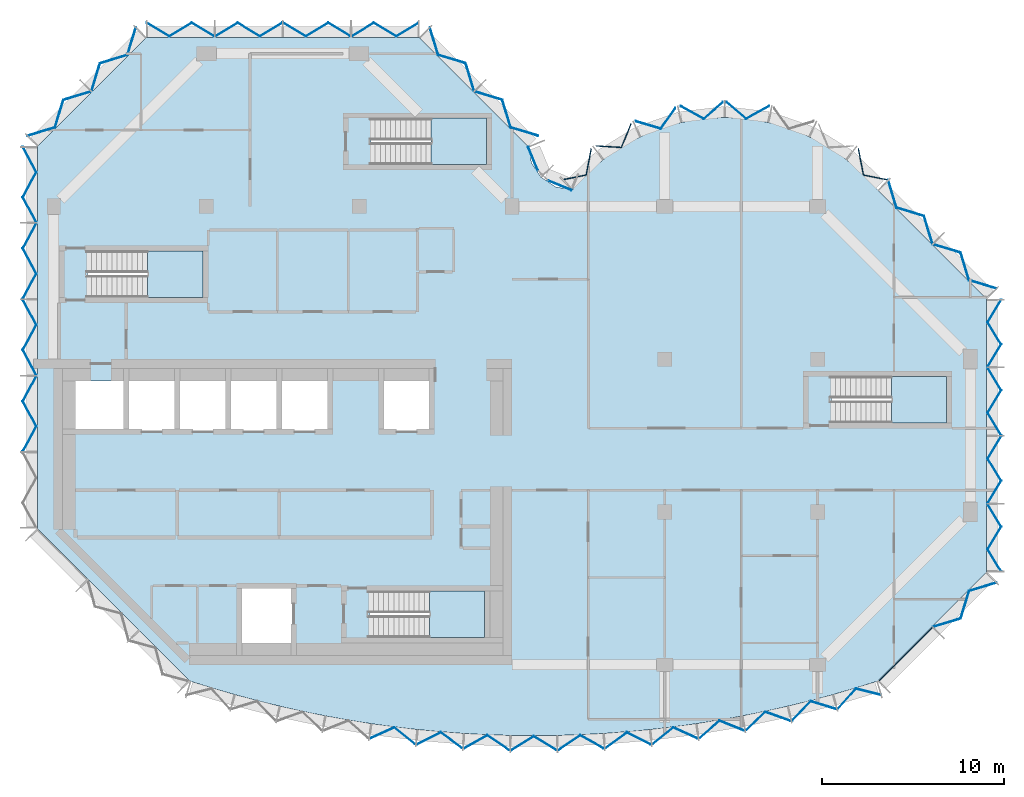
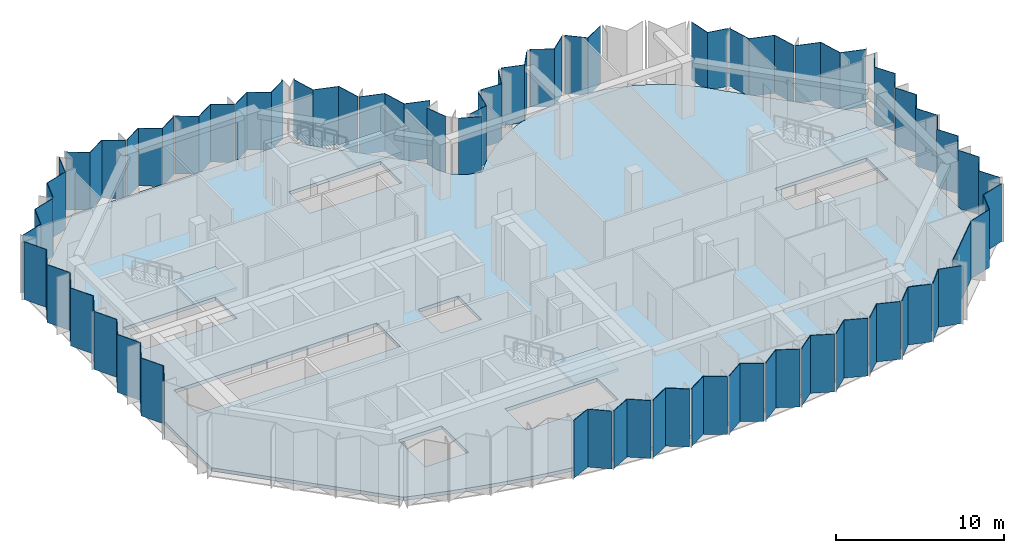
# One storey, part 3 of 10: 39 plates, 5 slabs, 14 elements without a shape of their own.
"""IFC4 building model written with IfcOpenShell, lengths in metres."""

from ifc_helpers import new_model, si_unit, direction, frame, origin, place, context, subcontext, project, spatial, polyline, outline, extrude, material, layer, layer_set, type_object, element, aggregate, save


model = new_model("IFC4")

# Units and contexts
model_context = context("Model", 3, precision=1e-05, world=origin(), true_north=direction((0.0, 1.0)))
body_context = subcontext(model_context, "Body", "Model", "MODEL_VIEW")
ifc_project = project(units=[si_unit("LENGTHUNIT", "METRE"), si_unit("AREAUNIT", "SQUARE_METRE"), si_unit("VOLUMEUNIT", "CUBIC_METRE"), si_unit("PLANEANGLEUNIT", "RADIAN"), si_unit("MASSUNIT", "GRAM", prefix="KILO")], contexts=[model_context])

# Site, building, storey
site_placement = place(None, origin())
site = spatial("IfcSite", under=ifc_project, at=site_placement, CompositionType="ELEMENT")
building_placement = place(site_placement, origin())
building = spatial("IfcBuilding", under=site, at=building_placement, Name="Brevane Broadcast Tower", CompositionType="ELEMENT")
storey_placement = place(building_placement, frame((0.0, 0.0, 251.699951171875)))
storey = spatial("IfcBuildingStorey", under=building, at=storey_placement, Name="L64", CompositionType="ELEMENT", Elevation=251.699951171875)

# Curtain wall, plates
ifc_material_1 = material(Name="Aluminium 6063-T6 bronze anodised", Category="aluminium")
curtain_wall_type = type_object("IfcCurtainWallType", Name="CW-5 curtain wall", PredefinedType="NOTDEFINED", material=ifc_material_1)
curtain_wall_1_placement = place(storey_placement, origin())
curtain_wall_1 = element("IfcCurtainWall", 1, at=curtain_wall_1_placement, inside=storey, type_object=curtain_wall_type, Name="CW-5 crown glazing unit L64 south bow", PredefinedType="NOTDEFINED")
ifc_material_2 = material(Name="Laminated glass bronze-tinted", Category="glass")
ifc_layer_1 = layer(ifc_material_2, 0.0400390625)
ifc_layer_set_1 = layer_set([ifc_layer_1], Name="CW tall glass panel 40")
plate_type = type_object("IfcPlateType", Name="CW tall glass panel 40", PredefinedType="CURTAIN_PANEL", material=ifc_layer_set_1)
plate_1_placement = place(storey_placement, frame((0.0, 0.0, -0.169921875)))
plate_1 = element("IfcPlate", 2, at=plate_1_placement, type_object=plate_type, Name="CW-5 glass panel", PredefinedType="CURTAIN_PANEL", context=body_context, shape_type="SweptSolid", body=[
    extrude(outline(polyline([(17.4189453125, -4.02099609375), (17.412109375, -4.068115234375), (18.72705078125, -3.47265625), (19.851806640625, -4.375), (19.856689453125, -4.32763671875), (18.73291015625, -3.426025390625), (17.4189453125, -4.02099609375)])), origin(), (0.0, 0.0, 1.0), 4.219970703125),
])
plate_2_placement = place(storey_placement, frame((0.0, 0.0, -0.169921875)))
plate_2 = element("IfcPlate", 3, at=plate_2_placement, type_object=plate_type, Name="CW-5 glass panel", PredefinedType="CURTAIN_PANEL", context=body_context, shape_type="SweptSolid", body=[
    extrude(outline(polyline([(19.992919921875, -4.34619140625), (19.988037109375, -4.3935546875), (21.27734375, -3.741943359375), (22.438720703125, -4.594970703125), (22.441650390625, -4.547607421875), (21.28125, -3.695068359375), (19.992919921875, -4.34619140625)])), origin(), (0.0, 0.0, 1.0), 4.219970703125),
])
plate_3_placement = place(storey_placement, frame((0.0, 0.0, -0.169921875)))
plate_3 = element("IfcPlate", 4, at=plate_3_placement, type_object=plate_type, Name="CW-5 glass panel", PredefinedType="CURTAIN_PANEL", context=body_context, shape_type="SweptSolid", body=[
    extrude(outline(polyline([(22.578369140625, -4.5634765625), (22.575439453125, -4.61083984375), (23.836669921875, -3.904541015625), (25.03271484375, -4.706787109375), (25.03369140625, -4.659423828125), (23.83837890625, -3.857666015625), (22.578369140625, -4.5634765625)])), origin(), (0.0, 0.0, 1.0), 4.219970703125),
])
plate_4_placement = place(storey_placement, frame((0.0, 0.0, -0.169921875)))
plate_4 = element("IfcPlate", 5, at=plate_4_placement, type_object=plate_type, Name="CW-5 glass panel", PredefinedType="CURTAIN_PANEL", context=body_context, shape_type="SweptSolid", body=[
    extrude(outline(polyline([(25.171142578125, -4.67236328125), (25.170166015625, -4.719970703125), (26.4052734375, -3.958984375), (27.63916015625, -4.70849609375), (27.63818359375, -4.6611328125), (26.4052734375, -3.912109375), (25.171142578125, -4.67236328125)])), origin(), (0.0, 0.0, 1.0), 4.219970703125),
])
plate_5_placement = place(storey_placement, frame((0.0, 0.0, -0.169921875)))
plate_5 = element("IfcPlate", 6, at=plate_5_placement, type_object=plate_type, Name="CW-5 glass panel", PredefinedType="CURTAIN_PANEL", context=body_context, shape_type="SweptSolid", body=[
    extrude(outline(polyline([(27.7568359375, -4.659912109375), (27.7578125, -4.707275390625), (28.958740234375, -3.90478515625), (30.224609375, -4.61083984375), (30.2216796875, -4.5634765625), (28.956787109375, -3.85791015625), (27.7568359375, -4.659912109375)])), origin(), (0.0, 0.0, 1.0), 4.219970703125),
])
plate_6_placement = place(storey_placement, frame((0.0, 0.0, -0.169921875)))
plate_6 = element("IfcPlate", 7, at=plate_6_placement, type_object=plate_type, Name="CW-5 glass panel", PredefinedType="CURTAIN_PANEL", context=body_context, shape_type="SweptSolid", body=[
    extrude(outline(polyline([(30.3583984375, -4.547607421875), (30.361328125, -4.594970703125), (31.522705078125, -3.741943359375), (32.81201171875, -4.3935546875), (32.806884765625, -4.34619140625), (31.518798828125, -3.695068359375), (30.3583984375, -4.547607421875)])), origin(), (0.0, 0.0, 1.0), 4.219970703125),
])
plate_7_placement = place(storey_placement, frame((0.0, 0.0, -0.169921875)))
plate_7 = element("IfcPlate", 8, at=plate_7_placement, type_object=plate_type, Name="CW-5 glass panel", PredefinedType="CURTAIN_PANEL", context=body_context, shape_type="SweptSolid", body=[
    extrude(outline(polyline([(32.943359375, -4.32763671875), (32.9482421875, -4.375), (34.072998046875, -3.47265625), (35.387939453125, -4.068115234375), (35.381103515625, -4.02099609375), (34.067138671875, -3.426025390625), (32.943359375, -4.32763671875)])), origin(), (0.0, 0.0, 1.0), 4.219970703125),
])
plate_8_placement = place(storey_placement, frame((0.0, 0.0, -0.169921875)))
plate_8 = element("IfcPlate", 9, at=plate_8_placement, type_object=plate_type, Name="CW-5 glass panel", PredefinedType="CURTAIN_PANEL", context=body_context, shape_type="SweptSolid", body=[
    extrude(outline(polyline([(35.516845703125, -4.000244140625), (35.52392578125, -4.04736328125), (36.60986328125, -3.09716796875), (37.947998046875, -3.6357421875), (37.93896484375, -3.589111328125), (36.60205078125, -3.05078125), (35.516845703125, -4.000244140625)])), origin(), (0.0, 0.0, 1.0), 4.219970703125),
])
plate_9_placement = place(storey_placement, frame((0.0, 0.0, -0.169921875)))
plate_9 = element("IfcPlate", 10, at=plate_9_placement, type_object=plate_type, Name="CW-5 glass panel", PredefinedType="CURTAIN_PANEL", context=body_context, shape_type="SweptSolid", body=[
    extrude(outline(polyline([(38.07470703125, -3.5654296875), (38.08349609375, -3.6123046875), (39.128662109375, -2.615966796875), (40.48779296875, -3.0966796875), (40.476806640625, -3.05029296875), (39.118896484375, -2.570068359375), (38.07470703125, -3.5654296875)])), origin(), (0.0, 0.0, 1.0), 4.219970703125),
])
plate_10_placement = place(storey_placement, frame((0.0, 0.0, -0.169921875)))
plate_10 = element("IfcPlate", 11, at=plate_10_placement, type_object=plate_type, Name="CW-5 glass panel", PredefinedType="CURTAIN_PANEL", context=body_context, shape_type="SweptSolid", body=[
    extrude(outline(polyline([(40.612060546875, -3.0244140625), (40.622802734375, -3.07080078125), (41.62548828125, -2.030029296875), (43.002685546875, -2.451904296875), (42.989990234375, -2.40625), (41.613525390625, -1.984619140625), (40.612060546875, -3.0244140625)])), origin(), (0.0, 0.0, 1.0), 4.219970703125),
])
plate_11_placement = place(storey_placement, frame((0.0, 0.0, -0.169921875)))
plate_11 = element("IfcPlate", 12, at=plate_11_placement, type_object=plate_type, Name="CW-5 glass panel", PredefinedType="CURTAIN_PANEL", context=body_context, shape_type="SweptSolid", body=[
    extrude(outline(polyline([(43.12451171875, -2.377685546875), (43.137451171875, -2.42333984375), (44.114013671875, -1.334716796875), (45.506103515625, -1.686767578125), (45.49267578125, -1.64208984375), (44.100341796875, -1.289794921875), (43.12451171875, -2.377685546875)])), origin(), (0.0, 0.0, 1.0), 4.219970703125),
])
aggregate(curtain_wall_1, [plate_1, plate_2, plate_3, plate_4, plate_5, plate_6, plate_7, plate_8, plate_9, plate_10, plate_11])

curtain_wall_2_placement = place(storey_placement, origin())
curtain_wall_2 = element("IfcCurtainWall", 13, at=curtain_wall_2_placement, inside=storey, type_object=curtain_wall_type, Name="CW-5 crown glazing unit L64 south-east chamfer", PredefinedType="NOTDEFINED")
plate_12_placement = place(storey_placement, frame((0.0, 0.0, -0.169921875)))
plate_12 = element("IfcPlate", 14, at=plate_12_placement, type_object=plate_type, Name="CW-5 glass panel", PredefinedType="CURTAIN_PANEL", context=body_context, shape_type="SweptSolid", body=[
    extrude(outline(polyline([(45.34228515625, -0.89990234375), (48.300048828125, 2.0576171875), (48.328369140625, 2.029296875), (45.37060546875, -0.92822265625), (45.34228515625, -0.89990234375)])), origin(), (0.0, 0.0, 1.0), 4.219970703125),
])
plate_13_placement = place(storey_placement, frame((0.0, 0.0, -0.169921875)))
plate_13 = element("IfcPlate", 15, at=plate_13_placement, type_object=plate_type, Name="CW-5 glass panel", PredefinedType="CURTAIN_PANEL", context=body_context, shape_type="SweptSolid", body=[
    extrude(outline(polyline([(48.340576171875, 2.101806640625), (48.37255859375, 2.06982421875), (49.884765625, 2.529296875), (50.34423828125, 4.04150390625), (51.8564453125, 4.5009765625), (51.824462890625, 4.533203125), (50.312255859375, 4.073486328125), (49.852783203125, 2.561279296875), (48.340576171875, 2.101806640625)])), origin(), (0.0, 0.0, 1.0), 4.219970703125),
])
aggregate(curtain_wall_2, [plate_12, plate_13])

curtain_wall_3_placement = place(storey_placement, origin())
curtain_wall_3 = element("IfcCurtainWall", 16, at=curtain_wall_3_placement, inside=storey, type_object=curtain_wall_type, Name="CW-5 crown glazing unit L64 east end", PredefinedType="NOTDEFINED")
plate_14_placement = place(storey_placement, frame((0.0, 0.0, -0.169921875)))
plate_14 = element("IfcPlate", 17, at=plate_14_placement, type_object=plate_type, Name="CW-5 glass panel", PredefinedType="CURTAIN_PANEL", context=body_context, shape_type="SweptSolid", body=[
    extrude(outline(polyline([(52.071044921875, 5.1298828125), (52.117919921875, 5.1298828125), (51.373291015625, 6.360107421875), (52.117919921875, 7.590087890625), (51.373291015625, 8.820068359375), (51.32666015625, 8.820068359375), (52.071044921875, 7.590087890625), (51.32666015625, 6.360107421875), (52.071044921875, 5.1298828125)])), origin(), (0.0, 0.0, 1.0), 4.219970703125),
])
plate_15_placement = place(storey_placement, frame((0.0, 0.0, -0.169921875)))
plate_15 = element("IfcPlate", 18, at=plate_15_placement, type_object=plate_type, Name="CW-5 glass panel", PredefinedType="CURTAIN_PANEL", context=body_context, shape_type="SweptSolid", body=[
    extrude(outline(polyline([(51.32666015625, 8.8798828125), (51.373291015625, 8.8798828125), (52.117919921875, 10.110107421875), (51.373291015625, 11.340087890625), (52.117919921875, 12.570068359375), (52.071044921875, 12.570068359375), (51.32666015625, 11.340087890625), (52.071044921875, 10.110107421875), (51.32666015625, 8.8798828125)])), origin(), (0.0, 0.0, 1.0), 4.219970703125),
])
plate_16_placement = place(storey_placement, frame((0.0, 0.0, -0.169921875)))
plate_16 = element("IfcPlate", 19, at=plate_16_placement, type_object=plate_type, Name="CW-5 glass panel", PredefinedType="CURTAIN_PANEL", context=body_context, shape_type="SweptSolid", body=[
    extrude(outline(polyline([(52.071044921875, 12.6298828125), (52.117919921875, 12.6298828125), (51.373291015625, 13.860107421875), (52.117919921875, 15.090087890625), (51.373291015625, 16.320068359375), (51.32666015625, 16.320068359375), (52.071044921875, 15.090087890625), (51.32666015625, 13.860107421875), (52.071044921875, 12.6298828125)])), origin(), (0.0, 0.0, 1.0), 4.219970703125),
])
plate_17_placement = place(storey_placement, frame((0.0, 0.0, -0.169921875)))
plate_17 = element("IfcPlate", 20, at=plate_17_placement, type_object=plate_type, Name="CW-5 glass panel", PredefinedType="CURTAIN_PANEL", context=body_context, shape_type="SweptSolid", body=[
    extrude(outline(polyline([(51.32666015625, 16.3798828125), (51.373291015625, 16.3798828125), (52.117919921875, 17.610107421875), (51.373291015625, 18.840087890625), (52.117919921875, 20.070068359375), (52.071044921875, 20.070068359375), (51.32666015625, 18.840087890625), (52.071044921875, 17.610107421875), (51.32666015625, 16.3798828125)])), origin(), (0.0, 0.0, 1.0), 4.219970703125),
])
aggregate(curtain_wall_3, [plate_14, plate_15, plate_16, plate_17])

curtain_wall_4_placement = place(storey_placement, origin())
curtain_wall_4 = element("IfcCurtainWall", 21, at=curtain_wall_4_placement, inside=storey, type_object=curtain_wall_type, Name="CW-5 crown glazing unit L64 north-east chamfer", PredefinedType="NOTDEFINED")
plate_18_placement = place(storey_placement, frame((0.0, 0.0, -0.169921875)))
plate_18 = element("IfcPlate", 22, at=plate_18_placement, type_object=plate_type, Name="CW-5 glass panel", PredefinedType="CURTAIN_PANEL", context=body_context, shape_type="SweptSolid", body=[
    extrude(outline(polyline([(51.824462890625, 20.6669921875), (51.8564453125, 20.698974609375), (50.34423828125, 21.158447265625), (49.884765625, 22.670654296875), (48.37255859375, 23.130126953125), (48.340576171875, 23.09814453125), (49.852783203125, 22.638671875), (50.312255859375, 21.12646484375), (51.824462890625, 20.6669921875)])), origin(), (0.0, 0.0, 1.0), 4.219970703125),
])
plate_19_placement = place(storey_placement, frame((0.0, 0.0, -0.169921875)))
plate_19 = element("IfcPlate", 23, at=plate_19_placement, type_object=plate_type, Name="CW-5 glass panel", PredefinedType="CURTAIN_PANEL", context=body_context, shape_type="SweptSolid", body=[
    extrude(outline(polyline([(48.298095703125, 23.140380859375), (48.330078125, 23.172607421875), (47.87060546875, 24.684814453125), (46.3583984375, 25.144287109375), (45.89892578125, 26.656494140625), (45.866943359375, 26.62451171875), (46.326416015625, 25.1123046875), (47.838623046875, 24.65283203125), (48.298095703125, 23.140380859375)])), origin(), (0.0, 0.0, 1.0), 4.219970703125),
])
aggregate(curtain_wall_4, [plate_18, plate_19])

curtain_wall_5_placement = place(storey_placement, origin())
curtain_wall_5 = element("IfcCurtainWall", 24, at=curtain_wall_5_placement, inside=storey, type_object=curtain_wall_type, Name="CW-5 crown glazing unit L64 east bow", PredefinedType="NOTDEFINED")
plate_20_placement = place(storey_placement, frame((0.0, 0.0, -0.169921875)))
plate_20 = element("IfcPlate", 25, at=plate_20_placement, type_object=plate_type, Name="CW-5 glass panel", PredefinedType="CURTAIN_PANEL", context=body_context, shape_type="SweptSolid", body=[
    extrude(outline(polyline([(45.795166015625, 26.652587890625), (45.828369140625, 26.686767578125), (44.539306640625, 26.9423828125), (44.260009765625, 28.388916015625), (44.2275390625, 28.346923828125), (44.505126953125, 26.908203125), (45.795166015625, 26.652587890625)])), origin(), (0.0, 0.0, 1.0), 4.219970703125),
])
plate_21_placement = place(storey_placement, frame((0.0, 0.0, -0.169921875)))
plate_21 = element("IfcPlate", 26, at=plate_21_placement, type_object=plate_type, Name="CW-5 glass panel", PredefinedType="CURTAIN_PANEL", context=body_context, shape_type="SweptSolid", body=[
    extrude(outline(polyline([(39.321044921875, 30.68701171875), (39.333251953125, 30.739501953125), (38.069580078125, 30.036376953125), (37.0029296875, 30.949462890625), (37.0029296875, 30.89697265625), (38.064697265625, 29.98779296875), (39.321044921875, 30.68701171875)])), origin(), (0.0, 0.0, 1.0), 4.219970703125),
])
plate_22_placement = place(storey_placement, frame((0.0, 0.0, -0.169921875)))
plate_22 = element("IfcPlate", 27, at=plate_22_placement, type_object=plate_type, Name="CW-5 glass panel", PredefinedType="CURTAIN_PANEL", context=body_context, shape_type="SweptSolid", body=[
    extrude(outline(polyline([(36.797119140625, 30.89697265625), (36.797119140625, 30.949462890625), (35.730224609375, 30.036376953125), (34.466796875, 30.739501953125), (34.47900390625, 30.68701171875), (35.735107421875, 29.98779296875), (36.797119140625, 30.89697265625)])), origin(), (0.0, 0.0, 1.0), 4.219970703125),
])
plate_23_placement = place(storey_placement, frame((0.0, 0.0, -0.169921875)))
plate_23 = element("IfcPlate", 28, at=plate_23_placement, type_object=plate_type, Name="CW-5 glass panel", PredefinedType="CURTAIN_PANEL", context=body_context, shape_type="SweptSolid", body=[
    extrude(outline(polyline([(34.18408203125, 30.572265625), (34.172119140625, 30.624267578125), (33.364501953125, 29.494384765625), (32.016845703125, 29.8984375), (32.0400390625, 29.849853515625), (33.38037109375, 29.44775390625), (34.18408203125, 30.572265625)])), origin(), (0.0, 0.0, 1.0), 4.219970703125),
])
plate_24_placement = place(storey_placement, frame((0.0, 0.0, -0.169921875)))
plate_24 = element("IfcPlate", 29, at=plate_24_placement, type_object=plate_type, Name="CW-5 glass panel", PredefinedType="CURTAIN_PANEL", context=body_context, shape_type="SweptSolid", body=[
    extrude(outline(polyline([(31.757568359375, 29.715087890625), (31.734375, 29.763916015625), (31.198486328125, 28.462890625), (29.8125, 28.548095703125), (29.84521484375, 28.506103515625), (31.224609375, 28.42138671875), (31.757568359375, 29.715087890625)])), origin(), (0.0, 0.0, 1.0), 4.219970703125),
])
plate_25_placement = place(storey_placement, frame((0.0, 0.0, -0.169921875)))
plate_25 = element("IfcPlate", 30, at=plate_25_placement, type_object=plate_type, Name="CW-5 glass panel", PredefinedType="CURTAIN_PANEL", context=body_context, shape_type="SweptSolid", body=[
    extrude(outline(polyline([(29.572509765625, 28.346923828125), (29.539794921875, 28.388916015625), (29.2607421875, 26.9423828125), (27.9716796875, 26.686767578125), (28.0048828125, 26.652587890625), (29.294921875, 26.908203125), (29.572509765625, 28.346923828125)])), origin(), (0.0, 0.0, 1.0), 4.219970703125),
])
aggregate(curtain_wall_5, [plate_20, plate_21, plate_22, plate_23, plate_24, plate_25])

curtain_wall_6_placement = place(storey_placement, origin())
curtain_wall_6 = element("IfcCurtainWall", 31, at=curtain_wall_6_placement, inside=storey, type_object=curtain_wall_type, Name="CW-5 crown glazing unit L64 inner corner", PredefinedType="NOTDEFINED")
plate_26_placement = place(storey_placement, frame((0.0, 0.0, -0.169921875)))
plate_26 = element("IfcPlate", 32, at=plate_26_placement, type_object=plate_type, Name="CW-5 glass panel", PredefinedType="CURTAIN_PANEL", context=body_context, shape_type="SweptSolid", body=[
    extrude(outline(polyline([(28.456298828125, 26.07275390625), (28.471435546875, 26.109619140625), (27.197021484375, 26.6376953125), (27.16650390625, 26.60693359375), (28.456298828125, 26.07275390625)])), origin(), (0.0, 0.0, 1.0), 4.219970703125),
])
plate_27_placement = place(storey_placement, frame((0.0, 0.0, -0.169921875)))
plate_27 = element("IfcPlate", 33, at=plate_27_placement, type_object=plate_type, Name="CW-5 glass panel", PredefinedType="CURTAIN_PANEL", context=body_context, shape_type="SweptSolid", body=[
    extrude(outline(polyline([(26.60693359375, 27.16650390625), (26.6376953125, 27.197021484375), (26.109619140625, 28.471435546875), (26.07275390625, 28.456298828125), (26.60693359375, 27.16650390625)])), origin(), (0.0, 0.0, 1.0), 4.219970703125),
])
aggregate(curtain_wall_6, [plate_26, plate_27])

curtain_wall_7_placement = place(storey_placement, origin())
curtain_wall_7 = element("IfcCurtainWall", 34, at=curtain_wall_7_placement, inside=storey, type_object=curtain_wall_type, Name="CW-5 crown glazing unit L64 north arm north-east chamfer", PredefinedType="NOTDEFINED")
plate_28_placement = place(storey_placement, frame((0.0, 0.0, -0.169921875)))
plate_28 = element("IfcPlate", 35, at=plate_28_placement, type_object=plate_type, Name="CW-5 glass panel", PredefinedType="CURTAIN_PANEL", context=body_context, shape_type="SweptSolid", body=[
    extrude(outline(polyline([(26.62451171875, 29.06689453125), (26.656494140625, 29.09912109375), (25.144287109375, 29.55859375), (24.684814453125, 31.07080078125), (23.172607421875, 31.5302734375), (23.140380859375, 31.498046875), (24.65283203125, 31.03857421875), (25.1123046875, 29.5263671875), (26.62451171875, 29.06689453125)])), origin(), (0.0, 0.0, 1.0), 4.219970703125),
])
plate_29_placement = place(storey_placement, frame((0.0, 0.0, -0.169921875)))
plate_29 = element("IfcPlate", 36, at=plate_29_placement, type_object=plate_type, Name="CW-5 glass panel", PredefinedType="CURTAIN_PANEL", context=body_context, shape_type="SweptSolid", body=[
    extrude(outline(polyline([(23.09814453125, 31.54052734375), (23.130126953125, 31.572509765625), (22.670654296875, 33.084716796875), (21.158447265625, 33.544189453125), (20.698974609375, 35.056396484375), (20.6669921875, 35.0244140625), (21.12646484375, 33.51220703125), (22.638671875, 33.052734375), (23.09814453125, 31.54052734375)])), origin(), (0.0, 0.0, 1.0), 4.219970703125),
])
aggregate(curtain_wall_7, [plate_28, plate_29])

curtain_wall_8_placement = place(storey_placement, origin())
curtain_wall_8 = element("IfcCurtainWall", 37, at=curtain_wall_8_placement, inside=storey, type_object=curtain_wall_type, Name="CW-5 crown glazing unit L64 north end", PredefinedType="NOTDEFINED")
plate_30_placement = place(storey_placement, frame((0.0, 0.0, -0.169921875)))
plate_30 = element("IfcPlate", 38, at=plate_30_placement, type_object=plate_type, Name="CW-5 glass panel", PredefinedType="CURTAIN_PANEL", context=body_context, shape_type="SweptSolid", body=[
    extrude(outline(polyline([(20.070068359375, 35.27099609375), (20.070068359375, 35.31787109375), (18.840087890625, 34.573486328125), (17.610107421875, 35.31787109375), (16.3798828125, 34.573486328125), (16.3798828125, 34.526611328125), (17.610107421875, 35.27099609375), (18.840087890625, 34.526611328125), (20.070068359375, 35.27099609375)])), origin(), (0.0, 0.0, 1.0), 4.219970703125),
])
plate_31_placement = place(storey_placement, frame((0.0, 0.0, -0.169921875)))
plate_31 = element("IfcPlate", 39, at=plate_31_placement, type_object=plate_type, Name="CW-5 glass panel", PredefinedType="CURTAIN_PANEL", context=body_context, shape_type="SweptSolid", body=[
    extrude(outline(polyline([(16.320068359375, 34.526611328125), (16.320068359375, 34.573486328125), (15.090087890625, 35.31787109375), (13.860107421875, 34.573486328125), (12.6298828125, 35.31787109375), (12.6298828125, 35.27099609375), (13.860107421875, 34.526611328125), (15.090087890625, 35.27099609375), (16.320068359375, 34.526611328125)])), origin(), (0.0, 0.0, 1.0), 4.219970703125),
])
plate_32_placement = place(storey_placement, frame((0.0, 0.0, -0.169921875)))
plate_32 = element("IfcPlate", 40, at=plate_32_placement, type_object=plate_type, Name="CW-5 glass panel", PredefinedType="CURTAIN_PANEL", context=body_context, shape_type="SweptSolid", body=[
    extrude(outline(polyline([(12.570068359375, 35.27099609375), (12.570068359375, 35.31787109375), (11.340087890625, 34.573486328125), (10.110107421875, 35.31787109375), (8.8798828125, 34.573486328125), (8.8798828125, 34.526611328125), (10.110107421875, 35.27099609375), (11.340087890625, 34.526611328125), (12.570068359375, 35.27099609375)])), origin(), (0.0, 0.0, 1.0), 4.219970703125),
])
plate_33_placement = place(storey_placement, frame((0.0, 0.0, -0.169921875)))
plate_33 = element("IfcPlate", 41, at=plate_33_placement, type_object=plate_type, Name="CW-5 glass panel", PredefinedType="CURTAIN_PANEL", context=body_context, shape_type="SweptSolid", body=[
    extrude(outline(polyline([(8.820068359375, 34.526611328125), (8.820068359375, 34.573486328125), (7.590087890625, 35.31787109375), (6.360107421875, 34.573486328125), (5.1298828125, 35.31787109375), (5.1298828125, 35.27099609375), (6.360107421875, 34.526611328125), (7.590087890625, 35.27099609375), (8.820068359375, 34.526611328125)])), origin(), (0.0, 0.0, 1.0), 4.219970703125),
])
aggregate(curtain_wall_8, [plate_30, plate_31, plate_32, plate_33])

curtain_wall_9_placement = place(storey_placement, origin())
curtain_wall_9 = element("IfcCurtainWall", 42, at=curtain_wall_9_placement, inside=storey, type_object=curtain_wall_type, Name="CW-5 crown glazing unit L64 north-west chamfer", PredefinedType="NOTDEFINED")
plate_34_placement = place(storey_placement, frame((0.0, 0.0, -0.169921875)))
plate_34 = element("IfcPlate", 43, at=plate_34_placement, type_object=plate_type, Name="CW-5 glass panel", PredefinedType="CURTAIN_PANEL", context=body_context, shape_type="SweptSolid", body=[
    extrude(outline(polyline([(4.533203125, 35.0244140625), (4.5009765625, 35.056396484375), (4.04150390625, 33.544189453125), (2.529296875, 33.084716796875), (2.06982421875, 31.572509765625), (2.101806640625, 31.54052734375), (2.561279296875, 33.052734375), (4.073486328125, 33.51220703125), (4.533203125, 35.0244140625)])), origin(), (0.0, 0.0, 1.0), 4.219970703125),
])
plate_35_placement = place(storey_placement, frame((0.0, 0.0, -0.169921875)))
plate_35 = element("IfcPlate", 44, at=plate_35_placement, type_object=plate_type, Name="CW-5 glass panel", PredefinedType="CURTAIN_PANEL", context=body_context, shape_type="SweptSolid", body=[
    extrude(outline(polyline([(2.0595703125, 31.498046875), (2.02734375, 31.5302734375), (0.51513671875, 31.07080078125), (0.0556640625, 29.55859375), (-1.45654296875, 29.09912109375), (-1.424560546875, 29.06689453125), (0.087646484375, 29.5263671875), (0.547119140625, 31.03857421875), (2.0595703125, 31.498046875)])), origin(), (0.0, 0.0, 1.0), 4.219970703125),
])
aggregate(curtain_wall_9, [plate_34, plate_35])

curtain_wall_10_placement = place(storey_placement, origin())
curtain_wall_10 = element("IfcCurtainWall", 45, at=curtain_wall_10_placement, inside=storey, type_object=curtain_wall_type, Name="CW-5 crown glazing unit L64 west face", PredefinedType="NOTDEFINED")
plate_36_placement = place(storey_placement, frame((0.0, 0.0, -0.169921875)))
plate_36 = element("IfcPlate", 46, at=plate_36_placement, type_object=plate_type, Name="CW-5 glass panel", PredefinedType="CURTAIN_PANEL", context=body_context, shape_type="SweptSolid", body=[
    extrude(outline(polyline([(-1.671630859375, 28.469970703125), (-1.717041015625, 28.469970703125), (-0.97265625, 27.090087890625), (-1.717041015625, 25.7099609375), (-0.97265625, 24.330078125), (-0.92724609375, 24.330078125), (-1.671630859375, 25.7099609375), (-0.92724609375, 27.090087890625), (-1.671630859375, 28.469970703125)])), origin(), (0.0, 0.0, 1.0), 4.219970703125),
])
plate_37_placement = place(storey_placement, frame((0.0, 0.0, -0.169921875)))
plate_37 = element("IfcPlate", 47, at=plate_37_placement, type_object=plate_type, Name="CW-5 glass panel", PredefinedType="CURTAIN_PANEL", context=body_context, shape_type="SweptSolid", body=[
    extrude(outline(polyline([(-0.92724609375, 24.27001953125), (-0.97265625, 24.27001953125), (-1.717041015625, 22.889892578125), (-0.97265625, 21.510009765625), (-1.717041015625, 20.1298828125), (-1.671630859375, 20.1298828125), (-0.92724609375, 21.510009765625), (-1.671630859375, 22.889892578125), (-0.92724609375, 24.27001953125)])), origin(), (0.0, 0.0, 1.0), 4.219970703125),
])
plate_38_placement = place(storey_placement, frame((0.0, 0.0, -0.169921875)))
plate_38 = element("IfcPlate", 48, at=plate_38_placement, type_object=plate_type, Name="CW-5 glass panel", PredefinedType="CURTAIN_PANEL", context=body_context, shape_type="SweptSolid", body=[
    extrude(outline(polyline([(-1.671630859375, 20.070068359375), (-1.717041015625, 20.070068359375), (-0.97265625, 18.68994140625), (-1.717041015625, 17.31005859375), (-0.97265625, 15.929931640625), (-0.92724609375, 15.929931640625), (-1.671630859375, 17.31005859375), (-0.92724609375, 18.68994140625), (-1.671630859375, 20.070068359375)])), origin(), (0.0, 0.0, 1.0), 4.219970703125),
])
plate_39_placement = place(storey_placement, frame((0.0, 0.0, -0.169921875)))
plate_39 = element("IfcPlate", 49, at=plate_39_placement, type_object=plate_type, Name="CW-5 glass panel", PredefinedType="CURTAIN_PANEL", context=body_context, shape_type="SweptSolid", body=[
    extrude(outline(polyline([(-0.92724609375, 15.8701171875), (-0.97265625, 15.8701171875), (-1.717041015625, 14.489990234375), (-0.97265625, 13.110107421875), (-1.717041015625, 11.72998046875), (-1.671630859375, 11.72998046875), (-0.92724609375, 13.110107421875), (-1.671630859375, 14.489990234375), (-0.92724609375, 15.8701171875)])), origin(), (0.0, 0.0, 1.0), 4.219970703125),
])
aggregate(curtain_wall_10, [plate_36, plate_37, plate_38, plate_39])

# Stair, slab
ifc_material_3 = material(Name="Concrete C50/60", Category="concrete")
stair_type = type_object("IfcStairType", Name="Exit stair 26 risers", PredefinedType="HALF_TURN_STAIR", material=ifc_material_3)
stair_1_placement = place(storey_placement, origin())
stair_1 = element("IfcStair", 50, at=stair_1_placement, inside=storey, type_object=stair_type, Name="L64 Exit stair ST-1", PredefinedType="HALF_TURN_STAIR")
ifc_layer_2 = layer(ifc_material_3, 0.199951171875)
ifc_layer_set_2 = layer_set([ifc_layer_2], Name="Exit stair landing")
slab_type_1 = type_object("IfcSlabType", Name="Exit stair landing", PredefinedType="LANDING", material=ifc_layer_set_2)
slab_1_placement = place(storey_placement, frame((0.0, 0.0, 2.050048828125)))
slab_1 = element("IfcSlab", 51, at=slab_1_placement, type_object=slab_type_1, Name="ST-1 landing 1", PredefinedType="LANDING", context=body_context, shape_type="SweptSolid", body=[
    extrude(outline(polyline([(5.159912109375, 20.199951171875), (8.199951171875, 20.199951171875), (8.199951171875, 22.75), (5.159912109375, 22.75), (5.159912109375, 20.199951171875)])), origin(), (0.0, 0.0, 1.0), 0.199951171875),
])
aggregate(stair_1, [slab_1])

stair_2_placement = place(storey_placement, origin())
stair_2 = element("IfcStair", 52, at=stair_2_placement, inside=storey, type_object=stair_type, Name="L64 Exit stair ST-2", PredefinedType="HALF_TURN_STAIR")
slab_2_placement = place(storey_placement, frame((0.0, 0.0, 2.050048828125)))
slab_2 = element("IfcSlab", 53, at=slab_2_placement, type_object=slab_type_1, Name="ST-2 landing 1", PredefinedType="LANDING", context=body_context, shape_type="SweptSolid", body=[
    extrude(outline(polyline([(20.659912109375, 1.5), (23.699951171875, 1.5), (23.699951171875, 4.050048828125), (20.659912109375, 4.050048828125), (20.659912109375, 1.5)])), origin(), (0.0, 0.0, 1.0), 0.199951171875),
])
aggregate(stair_2, [slab_2])

stair_3_placement = place(storey_placement, origin())
stair_3 = element("IfcStair", 54, at=stair_3_placement, inside=storey, type_object=stair_type, Name="L64 Exit stair ST-3", PredefinedType="HALF_TURN_STAIR")
slab_3_placement = place(storey_placement, frame((0.0, 0.0, 2.050048828125)))
slab_3 = element("IfcSlab", 55, at=slab_3_placement, type_object=slab_type_1, Name="ST-3 landing 1", PredefinedType="LANDING", context=body_context, shape_type="SweptSolid", body=[
    extrude(outline(polyline([(20.760009765625, 27.5), (23.800048828125, 27.5), (23.800048828125, 30.050048828125), (20.760009765625, 30.050048828125), (20.760009765625, 27.5)])), origin(), (0.0, 0.0, 1.0), 0.199951171875),
])
aggregate(stair_3, [slab_3])

stair_4_placement = place(storey_placement, origin())
stair_4 = element("IfcStair", 56, at=stair_4_placement, inside=storey, type_object=stair_type, Name="L64 Exit stair ST-4", PredefinedType="HALF_TURN_STAIR")
slab_4_placement = place(storey_placement, frame((0.0, 0.0, 2.050048828125)))
slab_4 = element("IfcSlab", 57, at=slab_4_placement, type_object=slab_type_1, Name="ST-4 landing 1", PredefinedType="LANDING", context=body_context, shape_type="SweptSolid", body=[
    extrude(outline(polyline([(46.06005859375, 13.300048828125), (49.10009765625, 13.300048828125), (49.10009765625, 15.85009765625), (46.06005859375, 15.85009765625), (46.06005859375, 13.300048828125)])), origin(), (0.0, 0.0, 1.0), 0.199951171875),
])
aggregate(stair_4, [slab_4])

# Slab
ifc_material_4 = material(Name="Concrete C40/50", Category="concrete")
ifc_layer_3 = layer(ifc_material_4, 0.25)
ifc_layer_set_3 = layer_set([ifc_layer_3], Name="RC FLOOR SLAB 250 C40/50")
slab_type_2 = type_object("IfcSlabType", Name="RC FLOOR SLAB 250 C40/50", PredefinedType="FLOOR", material=ifc_layer_set_3)
slab_5_placement = place(storey_placement, frame((0.0, 0.0, -0.25)))
element("IfcSlab", 58, at=slab_5_placement, inside=storey, type_object=slab_type_2, Name="SL250 L64", PredefinedType="FLOOR", context=body_context, shape_type="SweptSolid", body=[
    extrude(outline(polyline([(-0.89990234375, 7.5), (-0.89990234375, 28.5), (5.10009765625, 34.5), (20.10009765625, 34.5), (26.10009765625, 28.5), (26.28271484375, 27.58154296875), (26.802978515625, 26.802978515625), (27.58154296875, 26.28271484375), (28.5, 26.10009765625), (29.431396484375, 27.10888671875), (30.48291015625, 27.99169921875), (31.6376953125, 28.734130859375), (32.877197265625, 29.324462890625), (34.181640625, 29.7529296875), (35.52978515625, 30.012939453125), (36.89990234375, 30.10009765625), (38.270263671875, 30.012939453125), (39.618408203125, 29.7529296875), (40.922607421875, 29.324462890625), (42.162353515625, 28.734130859375), (43.317138671875, 27.99169921875), (44.36865234375, 27.10888671875), (45.300048828125, 26.10009765625), (51.300048828125, 20.10009765625), (51.300048828125, 5.10009765625), (45.300048828125, -0.89990234375), (43.990234375, -1.310302734375), (42.671630859375, -1.691162109375), (41.3447265625, -2.0419921875), (40.01025390625, -2.36328125), (38.6689453125, -2.654052734375), (37.3212890625, -2.9150390625), (35.96826171875, -3.145263671875), (34.6103515625, -3.34521484375), (33.248291015625, -3.5146484375), (31.8828125, -3.6533203125), (30.5146484375, -3.76123046875), (29.144287109375, -3.83837890625), (27.7724609375, -3.884521484375), (26.39990234375, -3.89990234375), (25.027587890625, -3.884521484375), (23.65576171875, -3.83837890625), (22.285400390625, -3.76123046875), (20.917236328125, -3.6533203125), (19.5517578125, -3.5146484375), (18.189697265625, -3.34521484375), (16.831787109375, -3.145263671875), (15.478759765625, -2.9150390625), (14.131103515625, -2.654052734375), (12.789794921875, -2.36328125), (11.455322265625, -2.0419921875), (10.12841796875, -1.691162109375), (8.809814453125, -1.310302734375), (7.5, -0.89990234375), (-0.89990234375, 7.5)]), holes=[polyline([(13.199951171875, 4.39990234375), (10.199951171875, 4.39990234375), (10.199951171875, 1.199951171875), (13.199951171875, 1.199951171875), (13.199951171875, 4.39990234375)]), polyline([(4.0, 15.60009765625), (1.199951171875, 15.60009765625), (1.199951171875, 12.800048828125), (4.0, 12.800048828125), (6.800048828125, 12.800048828125), (9.60009765625, 12.800048828125), (12.39990234375, 12.800048828125), (15.199951171875, 12.800048828125), (15.199951171875, 15.60009765625), (12.39990234375, 15.60009765625), (9.60009765625, 15.60009765625), (6.800048828125, 15.60009765625), (4.0, 15.60009765625)]), polyline([(1.860107421875, 22.75), (1.860107421875, 20.199951171875), (8.199951171875, 20.199951171875), (8.199951171875, 22.75), (1.860107421875, 22.75)]), polyline([(23.699951171875, 4.050048828125), (17.360107421875, 4.050048828125), (17.360107421875, 1.5), (23.699951171875, 1.5), (23.699951171875, 4.050048828125)]), polyline([(20.800048828125, 15.60009765625), (18.0, 15.60009765625), (18.0, 12.800048828125), (20.800048828125, 12.800048828125), (20.800048828125, 15.60009765625)]), polyline([(49.10009765625, 15.85009765625), (42.760009765625, 15.85009765625), (42.760009765625, 13.300048828125), (49.10009765625, 13.300048828125), (49.10009765625, 15.85009765625)]), polyline([(23.800048828125, 30.050048828125), (17.4599609375, 30.050048828125), (17.4599609375, 27.5), (23.800048828125, 27.5), (23.800048828125, 30.050048828125)])]), origin(), (0.0, 0.0, 1.0), 0.25),
])

save(model, "model.ifc")
